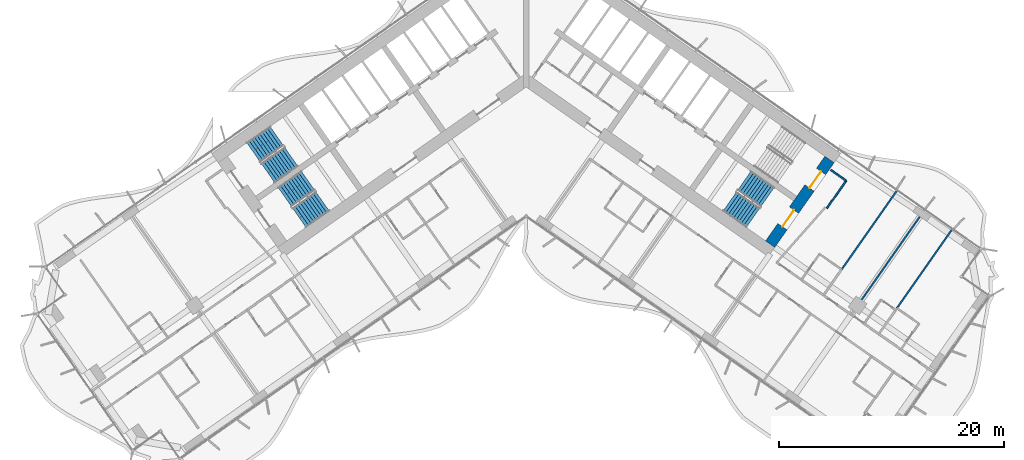
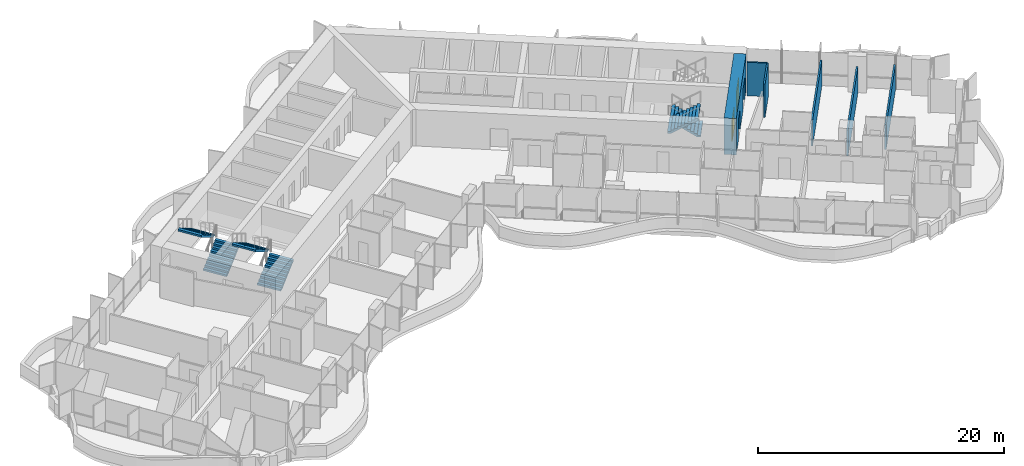
# One storey, part 16 of 23: 6 stair flights, 6 walls, 2 doors, 2 openings, 3 elements without a shape of their own.
"""IFC4 building model written with IfcOpenShell, lengths in metres."""

from ifc_helpers import new_model, si_unit, direction, frame, frame_2d, origin, place, context, subcontext, project, spatial, polyline, rectangle, outline, extrude, material, layer, layer_set, type_object, element, fill, aggregate, save


model = new_model("IFC4")

# Units and contexts
model_context = context("Model", 3, precision=1e-05, world=origin(), true_north=direction((0.0, 1.0)))
body_context = subcontext(model_context, "Body", "Model", "MODEL_VIEW")
ifc_project = project(units=[si_unit("LENGTHUNIT", "METRE"), si_unit("AREAUNIT", "SQUARE_METRE"), si_unit("VOLUMEUNIT", "CUBIC_METRE"), si_unit("PLANEANGLEUNIT", "RADIAN"), si_unit("MASSUNIT", "GRAM", prefix="KILO")], contexts=[model_context])

# Site, building, storey
site_placement = place(None, origin())
site = spatial("IfcSite", under=ifc_project, at=site_placement, CompositionType="ELEMENT")
building_placement = place(site_placement, origin())
building = spatial("IfcBuilding", under=site, at=building_placement, Name="Tel Ilan Convention Tower", CompositionType="ELEMENT")
storey_placement = place(building_placement, frame((0.0, 0.0, 94.10009765625)))
storey = spatial("IfcBuildingStorey", under=building, at=storey_placement, Name="L19", CompositionType="ELEMENT", Elevation=94.10009765625)

# Wall, openings, doors
ifc_material_1 = material(Name="Concrete C60/75", Category="concrete")
ifc_layer_1 = layer(ifc_material_1, 1.0)
ifc_layer_set_1 = layer_set([ifc_layer_1], Name="Core Shear Wall 1000 mm C60/75")
wall_type_1 = type_object("IfcWallType", Name="Core Shear Wall 1000 mm C60/75", PredefinedType="SHEAR", material=ifc_layer_set_1)
wall_1_placement = place(storey_placement, frame((21.70751953125, -15.19970703125, 0.0), z_axis=(0.0, 0.0, 1.0), x_axis=(0.573576324356, 0.819152122709, 0.0)))
wall_1 = element("IfcWall", 1, at=wall_1_placement, inside=storey, type_object=wall_type_1, Name="L19 core wall E-end", PredefinedType="SHEAR", context=body_context, shape_type="SweptSolid", body=[
    extrude(outline(polyline([(9.199951171875, 0.5), (0.0, 0.5), (0.0, -0.5), (9.199951171875, -0.5), (9.199951171875, 0.5)])), origin(), (0.0, 0.0, 1.0), 3.599853515625),
])
opening_1_placement = place(wall_1_placement, frame((6.10009765625, 0.0, 0.0)))
opening_1 = element("IfcOpeningElement", 2, at=opening_1_placement, cuts=wall_1, Name="Opening SD1703", PredefinedType="OPENING", context=body_context, shape_type="SweptSolid", body=[
    extrude(rectangle(XDim=1.800048828125, YDim=2.10009765625, at=frame_2d((0.89990234375, 1.050048828125))), frame((0.0, 0.510009765625, 0.0), z_axis=(0.0, -1.0, 0.0), x_axis=(1.0, 0.0, 0.0)), (0.0, 0.0, 1.0), 1.02001953125),
])
opening_2_placement = place(wall_1_placement, frame((1.89990234375, 0.0, 0.0)))
opening_2 = element("IfcOpeningElement", 3, at=opening_2_placement, cuts=wall_1, Name="Opening SD1704", PredefinedType="OPENING", context=body_context, shape_type="SweptSolid", body=[
    extrude(rectangle(XDim=1.800048828125, YDim=2.10009765625, at=frame_2d((0.89990234375, 1.050048828125))), frame((0.0, 0.510009765625, 0.0), z_axis=(0.0, -1.0, 0.0), x_axis=(1.0, 0.0, 0.0)), (0.0, 0.0, 1.0), 1.02001953125),
])
ifc_material_2 = material(Name="Galvanised Steel Door Leaf", Category="steel")
door_type = type_object("IfcDoorType", Name="Stair Fire Door 1800 x 2100 FD60S", OperationType="NOTDEFINED", PredefinedType="DOOR", material=ifc_material_2)
door_1_placement = place(opening_1_placement, origin())
door_1 = element("IfcDoor", 4, at=door_1_placement, inside=storey, type_object=door_type, Name="Stair S3 door", OperationType="DOUBLE_DOOR_SINGLE_SWING", OverallHeight=2.10009765625, OverallWidth=1.800048828125, PredefinedType="DOOR", context=body_context, shape_type="SweptSolid", body=[
    extrude(rectangle(XDim=1.800048828125, YDim=2.10009765625, at=frame_2d((0.89990234375, 1.050048828125))), frame((0.0, 0.02490234375, 0.0), z_axis=(0.0, -1.0, 0.0), x_axis=(1.0, 0.0, 0.0)), (0.0, 0.0, 1.0), 0.050048828125),
])
fill(opening_1, door_1)
door_2_placement = place(opening_2_placement, origin())
door_2 = element("IfcDoor", 5, at=door_2_placement, inside=storey, type_object=door_type, Name="Stair S4 door", OperationType="DOUBLE_DOOR_SINGLE_SWING", OverallHeight=2.10009765625, OverallWidth=1.800048828125, PredefinedType="DOOR", context=body_context, shape_type="SweptSolid", body=[
    extrude(rectangle(XDim=1.800048828125, YDim=2.10009765625, at=frame_2d((0.89990234375, 1.050048828125))), frame((0.0, 0.02490234375, 0.0), z_axis=(0.0, -1.0, 0.0), x_axis=(1.0, 0.0, 0.0)), (0.0, 0.0, 1.0), 0.050048828125),
])
fill(opening_2, door_2)

# Walls
ifc_material_3 = material(Name="Plasterboard on Steel Studs", Category="steel")
ifc_layer_2 = layer(ifc_material_3, 0.14990234375)
ifc_layer_set_2 = layer_set([ifc_layer_2], Name="Fire-rated Partition 150 EI 60")
wall_type_2 = type_object("IfcWallType", Name="Fire-rated Partition 150 EI 60", PredefinedType="PARTITIONING", material=ifc_layer_set_2)
wall_2_placement = place(storey_placement, frame((32.93994140625, -10.49072265625, 0.0), z_axis=(0.0, 0.0, 1.0), x_axis=(-0.573593433868, -0.819140142237, 0.0)))
element("IfcWall", 6, at=wall_2_placement, inside=storey, type_object=wall_type_2, Name="Partition 036", PredefinedType="PARTITIONING", context=body_context, shape_type="SweptSolid", body=[
    extrude(rectangle(XDim=8.4990234375, YDim=0.14990234375, at=frame_2d((4.24951171875, 0.0))), origin(), (0.0, 0.0, 1.0), 2.599853515625),
])
wall_3_placement = place(storey_placement, frame((26.74609375, -12.013671875, 0.0), z_axis=(0.0, 0.0, 1.0), x_axis=(0.573560650686, 0.819163097304, 0.0)))
element("IfcWall", 7, at=wall_3_placement, inside=storey, type_object=wall_type_2, Name="Partition 038", PredefinedType="PARTITIONING", context=body_context, shape_type="SweptSolid", body=[
    extrude(rectangle(XDim=3.0, YDim=0.14990234375, at=frame_2d((1.5, 0.0))), origin(), (0.0, 0.0, 1.0), 3.31982421875),
])
wall_4_placement = place(storey_placement, frame((28.466796875, -9.55615234375, 0.0), z_axis=(0.0, 0.0, 1.0), x_axis=(-0.819109000826, 0.573637903879, 0.0)))
element("IfcWall", 8, at=wall_4_placement, inside=storey, type_object=wall_type_2, Name="Partition 039", PredefinedType="PARTITIONING", context=body_context, shape_type="SweptSolid", body=[
    extrude(rectangle(XDim=1.679931640625, YDim=0.14990234375, at=frame_2d((0.83984375, 0.0))), origin(), (0.0, 0.0, 1.0), 3.31982421875),
])
wall_5_placement = place(storey_placement, frame((35.012939453125, -12.76025390625, 0.0), z_axis=(0.0, 0.0, 1.0), x_axis=(-0.573558725113, -0.819164445546, 0.0)))
element("IfcWall", 9, at=wall_5_placement, inside=storey, type_object=wall_type_2, Name="Partition 041", PredefinedType="PARTITIONING", context=body_context, shape_type="SweptSolid", body=[
    extrude(rectangle(XDim=9.010009765625, YDim=0.14990234375, at=frame_2d((4.5048828125, 0.0))), origin(), (0.0, 0.0, 1.0), 2.599853515625),
])
wall_6_placement = place(storey_placement, frame((37.854736328125, -13.93212890625, 0.0), z_axis=(0.0, 0.0, 1.0), x_axis=(-0.573576058406, -0.819152308929, 0.0)))
element("IfcWall", 10, at=wall_6_placement, inside=storey, type_object=wall_type_2, Name="Partition 045", PredefinedType="PARTITIONING", context=body_context, shape_type="SweptSolid", body=[
    extrude(rectangle(XDim=8.5009765625, YDim=0.14990234375, at=frame_2d((4.25048828125, 0.0))), origin(), (0.0, 0.0, 1.0), 2.5),
])

# Stair, stair flights
ifc_material_4 = material(Name="Concrete C40/50", Category="concrete")
stair_type = type_object("IfcStairType", Name="Pressurised Exit Stair 20 risers 180 mm", PredefinedType="HALF_TURN_STAIR", material=ifc_material_4)
stair_1_placement = place(storey_placement, origin())
stair_1 = element("IfcStair", 11, at=stair_1_placement, inside=storey, type_object=stair_type, Name="L19 Pressurised Stair S1", PredefinedType="HALF_TURN_STAIR")
ifc_material_5 = material(Name="Precast Concrete C40/50", Category="concrete")
stair_flight_type = type_object("IfcStairFlightType", Name="Concrete Stair Flight 2100 mm 20 risers 180 mm", PredefinedType="STRAIGHT", material=ifc_material_5)
stair_flight_1_placement = place(storey_placement, frame((-22.9619140625, -8.87548828125, 0.0), z_axis=(0.0, 0.0, 1.0), x_axis=(0.819152044289, 0.573576436351, 0.0)))
stair_flight_1 = element("IfcStairFlight", 12, at=stair_flight_1_placement, type_object=stair_flight_type, Name="S1 flight 1", NumberOfRisers=10, NumberOfTreads=9, PredefinedType="STRAIGHT", RiserHeight=0.18, TreadLength=0.28, context=body_context, shape_type="SweptSolid", body=[
    extrude(outline(polyline([(0.0, 0.0), (0.0, 0.179931640625), (0.280029296875, 0.179931640625), (0.280029296875, 0.360107421875), (0.56005859375, 0.360107421875), (0.56005859375, 0.5400390625), (0.840087890625, 0.5400390625), (0.840087890625, 0.719970703125), (1.1201171875, 0.719970703125), (1.1201171875, 0.89990234375), (1.39990234375, 0.89990234375), (1.39990234375, 1.080078125), (1.679931640625, 1.080078125), (1.679931640625, 1.260009765625), (1.9599609375, 1.260009765625), (1.9599609375, 1.43994140625), (2.239990234375, 1.43994140625), (2.239990234375, 1.6201171875), (2.52001953125, 1.6201171875), (2.52001953125, 1.800048828125), (2.52001953125, 1.44189453125), (0.277099609375, 0.0), (0.0, 0.0)])), frame((0.0, -0.100341796875, 0.0), z_axis=(0.0, -1.0, 0.0), x_axis=(1.0, 0.0, 0.0)), (0.0, 0.0, 1.0), 0.94970703125),
    extrude(outline(polyline([(0.0, 0.0), (0.0, 0.179931640625), (0.280029296875, 0.179931640625), (0.280029296875, 0.360107421875), (0.56005859375, 0.360107421875), (0.56005859375, 0.5400390625), (0.840087890625, 0.5400390625), (0.840087890625, 0.719970703125), (1.1201171875, 0.719970703125), (1.1201171875, 0.89990234375), (1.39990234375, 0.89990234375), (1.39990234375, 1.080078125), (1.679931640625, 1.080078125), (1.679931640625, 1.260009765625), (1.9599609375, 1.260009765625), (1.9599609375, 1.43994140625), (2.239990234375, 1.43994140625), (2.239990234375, 1.6201171875), (2.52001953125, 1.6201171875), (2.52001953125, 1.800048828125), (2.52001953125, 1.44189453125), (0.277099609375, 0.0), (0.0, 0.0)])), frame((0.0, -0.000244140625, 0.0), z_axis=(0.0, -1.0, 0.0), x_axis=(1.0, 0.0, 0.0)), (0.0, 0.0, 1.0), 0.099609375),
    extrude(outline(polyline([(0.0, 0.0), (0.0, 0.179931640625), (0.280029296875, 0.179931640625), (0.280029296875, 0.360107421875), (0.56005859375, 0.360107421875), (0.56005859375, 0.5400390625), (0.840087890625, 0.5400390625), (0.840087890625, 0.719970703125), (1.1201171875, 0.719970703125), (1.1201171875, 0.89990234375), (1.39990234375, 0.89990234375), (1.39990234375, 1.080078125), (1.679931640625, 1.080078125), (1.679931640625, 1.260009765625), (1.9599609375, 1.260009765625), (1.9599609375, 1.43994140625), (2.239990234375, 1.43994140625), (2.239990234375, 1.6201171875), (2.52001953125, 1.6201171875), (2.52001953125, 1.800048828125), (2.52001953125, 1.44189453125), (0.277099609375, 0.0), (0.0, 0.0)])), frame((0.0, 0.099853515625, 0.0), z_axis=(0.0, -1.0, 0.0), x_axis=(1.0, 0.0, 0.0)), (0.0, 0.0, 1.0), 0.099609375),
    extrude(outline(polyline([(0.0, 0.0), (0.0, 0.179931640625), (0.280029296875, 0.179931640625), (0.280029296875, 0.360107421875), (0.56005859375, 0.360107421875), (0.56005859375, 0.5400390625), (0.840087890625, 0.5400390625), (0.840087890625, 0.719970703125), (1.1201171875, 0.719970703125), (1.1201171875, 0.89990234375), (1.39990234375, 0.89990234375), (1.39990234375, 1.080078125), (1.679931640625, 1.080078125), (1.679931640625, 1.260009765625), (1.9599609375, 1.260009765625), (1.9599609375, 1.43994140625), (2.239990234375, 1.43994140625), (2.239990234375, 1.6201171875), (2.52001953125, 1.6201171875), (2.52001953125, 1.800048828125), (2.52001953125, 1.44189453125), (0.277099609375, 0.0), (0.0, 0.0)])), frame((0.0, 1.050048828125, 0.0), z_axis=(0.0, -1.0, 0.0), x_axis=(1.0, 0.0, 0.0)), (0.0, 0.0, 1.0), 0.94970703125),
])
stair_flight_2_placement = place(storey_placement, frame((-22.188232421875, -5.5869140625, 1.7998046875), z_axis=(0.0, 0.0, 1.0), x_axis=(-0.819152044289, -0.573576436351, 0.0)))
stair_flight_2 = element("IfcStairFlight", 13, at=stair_flight_2_placement, type_object=stair_flight_type, Name="S1 flight 2", NumberOfRisers=10, NumberOfTreads=9, PredefinedType="STRAIGHT", RiserHeight=0.18, TreadLength=0.28, context=body_context, shape_type="SweptSolid", body=[
    extrude(outline(polyline([(0.0, 0.0), (0.0, 0.179931640625), (0.280029296875, 0.179931640625), (0.280029296875, 0.360107421875), (0.56005859375, 0.360107421875), (0.56005859375, 0.5400390625), (0.840087890625, 0.5400390625), (0.840087890625, 0.719970703125), (1.1201171875, 0.719970703125), (1.1201171875, 0.89990234375), (1.39990234375, 0.89990234375), (1.39990234375, 1.080078125), (1.679931640625, 1.080078125), (1.679931640625, 1.260009765625), (1.9599609375, 1.260009765625), (1.9599609375, 1.43994140625), (2.239990234375, 1.43994140625), (2.239990234375, 1.6201171875), (2.52001953125, 1.6201171875), (2.52001953125, 1.800048828125), (2.52001953125, 1.44189453125), (0.277099609375, 0.0), (0.0, 0.0)])), frame((0.0, -0.100341796875, 0.0), z_axis=(0.0, -1.0, 0.0), x_axis=(1.0, 0.0, 0.0)), (0.0, 0.0, 1.0), 0.94970703125),
    extrude(outline(polyline([(0.0, 0.0), (0.0, 0.179931640625), (0.280029296875, 0.179931640625), (0.280029296875, 0.360107421875), (0.56005859375, 0.360107421875), (0.56005859375, 0.5400390625), (0.840087890625, 0.5400390625), (0.840087890625, 0.719970703125), (1.1201171875, 0.719970703125), (1.1201171875, 0.89990234375), (1.39990234375, 0.89990234375), (1.39990234375, 1.080078125), (1.679931640625, 1.080078125), (1.679931640625, 1.260009765625), (1.9599609375, 1.260009765625), (1.9599609375, 1.43994140625), (2.239990234375, 1.43994140625), (2.239990234375, 1.6201171875), (2.52001953125, 1.6201171875), (2.52001953125, 1.800048828125), (2.52001953125, 1.44189453125), (0.277099609375, 0.0), (0.0, 0.0)])), frame((0.0, -0.000244140625, 0.0), z_axis=(0.0, -1.0, 0.0), x_axis=(1.0, 0.0, 0.0)), (0.0, 0.0, 1.0), 0.099609375),
    extrude(outline(polyline([(0.0, 0.0), (0.0, 0.179931640625), (0.280029296875, 0.179931640625), (0.280029296875, 0.360107421875), (0.56005859375, 0.360107421875), (0.56005859375, 0.5400390625), (0.840087890625, 0.5400390625), (0.840087890625, 0.719970703125), (1.1201171875, 0.719970703125), (1.1201171875, 0.89990234375), (1.39990234375, 0.89990234375), (1.39990234375, 1.080078125), (1.679931640625, 1.080078125), (1.679931640625, 1.260009765625), (1.9599609375, 1.260009765625), (1.9599609375, 1.43994140625), (2.239990234375, 1.43994140625), (2.239990234375, 1.6201171875), (2.52001953125, 1.6201171875), (2.52001953125, 1.800048828125), (2.52001953125, 1.44189453125), (0.277099609375, 0.0), (0.0, 0.0)])), frame((0.0, 0.099853515625, 0.0), z_axis=(0.0, -1.0, 0.0), x_axis=(1.0, 0.0, 0.0)), (0.0, 0.0, 1.0), 0.099609375),
    extrude(outline(polyline([(0.0, 0.0), (0.0, 0.179931640625), (0.280029296875, 0.179931640625), (0.280029296875, 0.360107421875), (0.56005859375, 0.360107421875), (0.56005859375, 0.5400390625), (0.840087890625, 0.5400390625), (0.840087890625, 0.719970703125), (1.1201171875, 0.719970703125), (1.1201171875, 0.89990234375), (1.39990234375, 0.89990234375), (1.39990234375, 1.080078125), (1.679931640625, 1.080078125), (1.679931640625, 1.260009765625), (1.9599609375, 1.260009765625), (1.9599609375, 1.43994140625), (2.239990234375, 1.43994140625), (2.239990234375, 1.6201171875), (2.52001953125, 1.6201171875), (2.52001953125, 1.800048828125), (2.52001953125, 1.44189453125), (0.277099609375, 0.0), (0.0, 0.0)])), frame((0.0, 1.050048828125, 0.0), z_axis=(0.0, -1.0, 0.0), x_axis=(1.0, 0.0, 0.0)), (0.0, 0.0, 1.0), 0.94970703125),
])
aggregate(stair_1, [stair_flight_1, stair_flight_2])

stair_2_placement = place(storey_placement, origin())
stair_2 = element("IfcStair", 14, at=stair_2_placement, inside=storey, type_object=stair_type, Name="L19 Pressurised Stair S2", PredefinedType="HALF_TURN_STAIR")
stair_flight_3_placement = place(storey_placement, frame((-20.179931640625, -12.848388671875, 0.0), z_axis=(0.0, 0.0, 1.0), x_axis=(0.819152044289, 0.573576436351, 0.0)))
stair_flight_3 = element("IfcStairFlight", 15, at=stair_flight_3_placement, type_object=stair_flight_type, Name="S2 flight 1", NumberOfRisers=10, NumberOfTreads=9, PredefinedType="STRAIGHT", RiserHeight=0.18, TreadLength=0.28, context=body_context, shape_type="SweptSolid", body=[
    extrude(outline(polyline([(0.0, 0.0), (0.0, 0.179931640625), (0.280029296875, 0.179931640625), (0.280029296875, 0.360107421875), (0.56005859375, 0.360107421875), (0.56005859375, 0.5400390625), (0.840087890625, 0.5400390625), (0.840087890625, 0.719970703125), (1.1201171875, 0.719970703125), (1.1201171875, 0.89990234375), (1.39990234375, 0.89990234375), (1.39990234375, 1.080078125), (1.679931640625, 1.080078125), (1.679931640625, 1.260009765625), (1.9599609375, 1.260009765625), (1.9599609375, 1.43994140625), (2.239990234375, 1.43994140625), (2.239990234375, 1.6201171875), (2.52001953125, 1.6201171875), (2.52001953125, 1.800048828125), (2.52001953125, 1.44189453125), (0.277099609375, 0.0), (0.0, 0.0)])), frame((0.0, -0.100341796875, 0.0), z_axis=(0.0, -1.0, 0.0), x_axis=(1.0, 0.0, 0.0)), (0.0, 0.0, 1.0), 0.94970703125),
    extrude(outline(polyline([(0.0, 0.0), (0.0, 0.179931640625), (0.280029296875, 0.179931640625), (0.280029296875, 0.360107421875), (0.56005859375, 0.360107421875), (0.56005859375, 0.5400390625), (0.840087890625, 0.5400390625), (0.840087890625, 0.719970703125), (1.1201171875, 0.719970703125), (1.1201171875, 0.89990234375), (1.39990234375, 0.89990234375), (1.39990234375, 1.080078125), (1.679931640625, 1.080078125), (1.679931640625, 1.260009765625), (1.9599609375, 1.260009765625), (1.9599609375, 1.43994140625), (2.239990234375, 1.43994140625), (2.239990234375, 1.6201171875), (2.52001953125, 1.6201171875), (2.52001953125, 1.800048828125), (2.52001953125, 1.44189453125), (0.277099609375, 0.0), (0.0, 0.0)])), frame((0.0, -0.000244140625, 0.0), z_axis=(0.0, -1.0, 0.0), x_axis=(1.0, 0.0, 0.0)), (0.0, 0.0, 1.0), 0.099609375),
    extrude(outline(polyline([(0.0, 0.0), (0.0, 0.179931640625), (0.280029296875, 0.179931640625), (0.280029296875, 0.360107421875), (0.56005859375, 0.360107421875), (0.56005859375, 0.5400390625), (0.840087890625, 0.5400390625), (0.840087890625, 0.719970703125), (1.1201171875, 0.719970703125), (1.1201171875, 0.89990234375), (1.39990234375, 0.89990234375), (1.39990234375, 1.080078125), (1.679931640625, 1.080078125), (1.679931640625, 1.260009765625), (1.9599609375, 1.260009765625), (1.9599609375, 1.43994140625), (2.239990234375, 1.43994140625), (2.239990234375, 1.6201171875), (2.52001953125, 1.6201171875), (2.52001953125, 1.800048828125), (2.52001953125, 1.44189453125), (0.277099609375, 0.0), (0.0, 0.0)])), frame((0.0, 0.099853515625, 0.0), z_axis=(0.0, -1.0, 0.0), x_axis=(1.0, 0.0, 0.0)), (0.0, 0.0, 1.0), 0.099609375),
    extrude(outline(polyline([(0.0, 0.0), (0.0, 0.179931640625), (0.280029296875, 0.179931640625), (0.280029296875, 0.360107421875), (0.56005859375, 0.360107421875), (0.56005859375, 0.5400390625), (0.840087890625, 0.5400390625), (0.840087890625, 0.719970703125), (1.1201171875, 0.719970703125), (1.1201171875, 0.89990234375), (1.39990234375, 0.89990234375), (1.39990234375, 1.080078125), (1.679931640625, 1.080078125), (1.679931640625, 1.260009765625), (1.9599609375, 1.260009765625), (1.9599609375, 1.43994140625), (2.239990234375, 1.43994140625), (2.239990234375, 1.6201171875), (2.52001953125, 1.6201171875), (2.52001953125, 1.800048828125), (2.52001953125, 1.44189453125), (0.277099609375, 0.0), (0.0, 0.0)])), frame((0.0, 1.050048828125, 0.0), z_axis=(0.0, -1.0, 0.0), x_axis=(1.0, 0.0, 0.0)), (0.0, 0.0, 1.0), 0.94970703125),
])
stair_flight_4_placement = place(storey_placement, frame((-19.40625, -9.559814453125, 1.7998046875), z_axis=(0.0, 0.0, 1.0), x_axis=(-0.819152044289, -0.573576436351, 0.0)))
stair_flight_4 = element("IfcStairFlight", 16, at=stair_flight_4_placement, type_object=stair_flight_type, Name="S2 flight 2", NumberOfRisers=10, NumberOfTreads=9, PredefinedType="STRAIGHT", RiserHeight=0.18, TreadLength=0.28, context=body_context, shape_type="SweptSolid", body=[
    extrude(outline(polyline([(0.0, 0.0), (0.0, 0.179931640625), (0.280029296875, 0.179931640625), (0.280029296875, 0.360107421875), (0.56005859375, 0.360107421875), (0.56005859375, 0.5400390625), (0.840087890625, 0.5400390625), (0.840087890625, 0.719970703125), (1.1201171875, 0.719970703125), (1.1201171875, 0.89990234375), (1.39990234375, 0.89990234375), (1.39990234375, 1.080078125), (1.679931640625, 1.080078125), (1.679931640625, 1.260009765625), (1.9599609375, 1.260009765625), (1.9599609375, 1.43994140625), (2.239990234375, 1.43994140625), (2.239990234375, 1.6201171875), (2.52001953125, 1.6201171875), (2.52001953125, 1.800048828125), (2.52001953125, 1.44189453125), (0.277099609375, 0.0), (0.0, 0.0)])), frame((0.0, -0.100341796875, 0.0), z_axis=(0.0, -1.0, 0.0), x_axis=(1.0, 0.0, 0.0)), (0.0, 0.0, 1.0), 0.94970703125),
    extrude(outline(polyline([(0.0, 0.0), (0.0, 0.179931640625), (0.280029296875, 0.179931640625), (0.280029296875, 0.360107421875), (0.56005859375, 0.360107421875), (0.56005859375, 0.5400390625), (0.840087890625, 0.5400390625), (0.840087890625, 0.719970703125), (1.1201171875, 0.719970703125), (1.1201171875, 0.89990234375), (1.39990234375, 0.89990234375), (1.39990234375, 1.080078125), (1.679931640625, 1.080078125), (1.679931640625, 1.260009765625), (1.9599609375, 1.260009765625), (1.9599609375, 1.43994140625), (2.239990234375, 1.43994140625), (2.239990234375, 1.6201171875), (2.52001953125, 1.6201171875), (2.52001953125, 1.800048828125), (2.52001953125, 1.44189453125), (0.277099609375, 0.0), (0.0, 0.0)])), frame((0.0, -0.000244140625, 0.0), z_axis=(0.0, -1.0, 0.0), x_axis=(1.0, 0.0, 0.0)), (0.0, 0.0, 1.0), 0.099609375),
    extrude(outline(polyline([(0.0, 0.0), (0.0, 0.179931640625), (0.280029296875, 0.179931640625), (0.280029296875, 0.360107421875), (0.56005859375, 0.360107421875), (0.56005859375, 0.5400390625), (0.840087890625, 0.5400390625), (0.840087890625, 0.719970703125), (1.1201171875, 0.719970703125), (1.1201171875, 0.89990234375), (1.39990234375, 0.89990234375), (1.39990234375, 1.080078125), (1.679931640625, 1.080078125), (1.679931640625, 1.260009765625), (1.9599609375, 1.260009765625), (1.9599609375, 1.43994140625), (2.239990234375, 1.43994140625), (2.239990234375, 1.6201171875), (2.52001953125, 1.6201171875), (2.52001953125, 1.800048828125), (2.52001953125, 1.44189453125), (0.277099609375, 0.0), (0.0, 0.0)])), frame((0.0, 0.099853515625, 0.0), z_axis=(0.0, -1.0, 0.0), x_axis=(1.0, 0.0, 0.0)), (0.0, 0.0, 1.0), 0.099609375),
    extrude(outline(polyline([(0.0, 0.0), (0.0, 0.179931640625), (0.280029296875, 0.179931640625), (0.280029296875, 0.360107421875), (0.56005859375, 0.360107421875), (0.56005859375, 0.5400390625), (0.840087890625, 0.5400390625), (0.840087890625, 0.719970703125), (1.1201171875, 0.719970703125), (1.1201171875, 0.89990234375), (1.39990234375, 0.89990234375), (1.39990234375, 1.080078125), (1.679931640625, 1.080078125), (1.679931640625, 1.260009765625), (1.9599609375, 1.260009765625), (1.9599609375, 1.43994140625), (2.239990234375, 1.43994140625), (2.239990234375, 1.6201171875), (2.52001953125, 1.6201171875), (2.52001953125, 1.800048828125), (2.52001953125, 1.44189453125), (0.277099609375, 0.0), (0.0, 0.0)])), frame((0.0, 1.050048828125, 0.0), z_axis=(0.0, -1.0, 0.0), x_axis=(1.0, 0.0, 0.0)), (0.0, 0.0, 1.0), 0.94970703125),
])
aggregate(stair_2, [stair_flight_3, stair_flight_4])

stair_3_placement = place(storey_placement, origin())
stair_3 = element("IfcStair", 17, at=stair_3_placement, inside=storey, type_object=stair_type, Name="L19 Pressurised Stair S4", PredefinedType="HALF_TURN_STAIR")
stair_flight_5_placement = place(storey_placement, frame((21.470458984375, -11.00537109375, 0.0), z_axis=(0.0, 0.0, 1.0), x_axis=(-0.819152044289, 0.573576436351, 0.0)))
stair_flight_5 = element("IfcStairFlight", 18, at=stair_flight_5_placement, type_object=stair_flight_type, Name="S4 flight 1", NumberOfRisers=10, NumberOfTreads=9, PredefinedType="STRAIGHT", RiserHeight=0.18, TreadLength=0.28, context=body_context, shape_type="SweptSolid", body=[
    extrude(outline(polyline([(0.0, 0.0), (0.0, 0.179931640625), (0.280029296875, 0.179931640625), (0.280029296875, 0.360107421875), (0.56005859375, 0.360107421875), (0.56005859375, 0.5400390625), (0.840087890625, 0.5400390625), (0.840087890625, 0.719970703125), (1.1201171875, 0.719970703125), (1.1201171875, 0.89990234375), (1.39990234375, 0.89990234375), (1.39990234375, 1.080078125), (1.679931640625, 1.080078125), (1.679931640625, 1.260009765625), (1.9599609375, 1.260009765625), (1.9599609375, 1.43994140625), (2.239990234375, 1.43994140625), (2.239990234375, 1.6201171875), (2.52001953125, 1.6201171875), (2.52001953125, 1.800048828125), (2.52001953125, 1.44189453125), (0.277099609375, 0.0), (0.0, 0.0)])), frame((0.0, -0.100341796875, 0.0), z_axis=(0.0, -1.0, 0.0), x_axis=(1.0, 0.0, 0.0)), (0.0, 0.0, 1.0), 0.94970703125),
    extrude(outline(polyline([(0.0, 0.0), (0.0, 0.179931640625), (0.280029296875, 0.179931640625), (0.280029296875, 0.360107421875), (0.56005859375, 0.360107421875), (0.56005859375, 0.5400390625), (0.840087890625, 0.5400390625), (0.840087890625, 0.719970703125), (1.1201171875, 0.719970703125), (1.1201171875, 0.89990234375), (1.39990234375, 0.89990234375), (1.39990234375, 1.080078125), (1.679931640625, 1.080078125), (1.679931640625, 1.260009765625), (1.9599609375, 1.260009765625), (1.9599609375, 1.43994140625), (2.239990234375, 1.43994140625), (2.239990234375, 1.6201171875), (2.52001953125, 1.6201171875), (2.52001953125, 1.800048828125), (2.52001953125, 1.44189453125), (0.277099609375, 0.0), (0.0, 0.0)])), frame((0.0, -0.000244140625, 0.0), z_axis=(0.0, -1.0, 0.0), x_axis=(1.0, 0.0, 0.0)), (0.0, 0.0, 1.0), 0.099609375),
    extrude(outline(polyline([(0.0, 0.0), (0.0, 0.179931640625), (0.280029296875, 0.179931640625), (0.280029296875, 0.360107421875), (0.56005859375, 0.360107421875), (0.56005859375, 0.5400390625), (0.840087890625, 0.5400390625), (0.840087890625, 0.719970703125), (1.1201171875, 0.719970703125), (1.1201171875, 0.89990234375), (1.39990234375, 0.89990234375), (1.39990234375, 1.080078125), (1.679931640625, 1.080078125), (1.679931640625, 1.260009765625), (1.9599609375, 1.260009765625), (1.9599609375, 1.43994140625), (2.239990234375, 1.43994140625), (2.239990234375, 1.6201171875), (2.52001953125, 1.6201171875), (2.52001953125, 1.800048828125), (2.52001953125, 1.44189453125), (0.277099609375, 0.0), (0.0, 0.0)])), frame((0.0, 0.099853515625, 0.0), z_axis=(0.0, -1.0, 0.0), x_axis=(1.0, 0.0, 0.0)), (0.0, 0.0, 1.0), 0.099609375),
    extrude(outline(polyline([(0.0, 0.0), (0.0, 0.179931640625), (0.280029296875, 0.179931640625), (0.280029296875, 0.360107421875), (0.56005859375, 0.360107421875), (0.56005859375, 0.5400390625), (0.840087890625, 0.5400390625), (0.840087890625, 0.719970703125), (1.1201171875, 0.719970703125), (1.1201171875, 0.89990234375), (1.39990234375, 0.89990234375), (1.39990234375, 1.080078125), (1.679931640625, 1.080078125), (1.679931640625, 1.260009765625), (1.9599609375, 1.260009765625), (1.9599609375, 1.43994140625), (2.239990234375, 1.43994140625), (2.239990234375, 1.6201171875), (2.52001953125, 1.6201171875), (2.52001953125, 1.800048828125), (2.52001953125, 1.44189453125), (0.277099609375, 0.0), (0.0, 0.0)])), frame((0.0, 1.050048828125, 0.0), z_axis=(0.0, -1.0, 0.0), x_axis=(1.0, 0.0, 0.0)), (0.0, 0.0, 1.0), 0.94970703125),
])
stair_flight_6_placement = place(storey_placement, frame((18.11572265625, -11.403076171875, 1.7998046875), z_axis=(0.0, 0.0, 1.0), x_axis=(0.819152044289, -0.573576436351, 0.0)))
stair_flight_6 = element("IfcStairFlight", 19, at=stair_flight_6_placement, type_object=stair_flight_type, Name="S4 flight 2", NumberOfRisers=10, NumberOfTreads=9, PredefinedType="STRAIGHT", RiserHeight=0.18, TreadLength=0.28, context=body_context, shape_type="SweptSolid", body=[
    extrude(outline(polyline([(0.0, 0.0), (0.0, 0.179931640625), (0.280029296875, 0.179931640625), (0.280029296875, 0.360107421875), (0.56005859375, 0.360107421875), (0.56005859375, 0.5400390625), (0.840087890625, 0.5400390625), (0.840087890625, 0.719970703125), (1.1201171875, 0.719970703125), (1.1201171875, 0.89990234375), (1.39990234375, 0.89990234375), (1.39990234375, 1.080078125), (1.679931640625, 1.080078125), (1.679931640625, 1.260009765625), (1.9599609375, 1.260009765625), (1.9599609375, 1.43994140625), (2.239990234375, 1.43994140625), (2.239990234375, 1.6201171875), (2.52001953125, 1.6201171875), (2.52001953125, 1.800048828125), (2.52001953125, 1.44189453125), (0.277099609375, 0.0), (0.0, 0.0)])), frame((0.0, -0.100341796875, 0.0), z_axis=(0.0, -1.0, 0.0), x_axis=(1.0, 0.0, 0.0)), (0.0, 0.0, 1.0), 0.94970703125),
    extrude(outline(polyline([(0.0, 0.0), (0.0, 0.179931640625), (0.280029296875, 0.179931640625), (0.280029296875, 0.360107421875), (0.56005859375, 0.360107421875), (0.56005859375, 0.5400390625), (0.840087890625, 0.5400390625), (0.840087890625, 0.719970703125), (1.1201171875, 0.719970703125), (1.1201171875, 0.89990234375), (1.39990234375, 0.89990234375), (1.39990234375, 1.080078125), (1.679931640625, 1.080078125), (1.679931640625, 1.260009765625), (1.9599609375, 1.260009765625), (1.9599609375, 1.43994140625), (2.239990234375, 1.43994140625), (2.239990234375, 1.6201171875), (2.52001953125, 1.6201171875), (2.52001953125, 1.800048828125), (2.52001953125, 1.44189453125), (0.277099609375, 0.0), (0.0, 0.0)])), frame((0.0, -0.000244140625, 0.0), z_axis=(0.0, -1.0, 0.0), x_axis=(1.0, 0.0, 0.0)), (0.0, 0.0, 1.0), 0.099609375),
    extrude(outline(polyline([(0.0, 0.0), (0.0, 0.179931640625), (0.280029296875, 0.179931640625), (0.280029296875, 0.360107421875), (0.56005859375, 0.360107421875), (0.56005859375, 0.5400390625), (0.840087890625, 0.5400390625), (0.840087890625, 0.719970703125), (1.1201171875, 0.719970703125), (1.1201171875, 0.89990234375), (1.39990234375, 0.89990234375), (1.39990234375, 1.080078125), (1.679931640625, 1.080078125), (1.679931640625, 1.260009765625), (1.9599609375, 1.260009765625), (1.9599609375, 1.43994140625), (2.239990234375, 1.43994140625), (2.239990234375, 1.6201171875), (2.52001953125, 1.6201171875), (2.52001953125, 1.800048828125), (2.52001953125, 1.44189453125), (0.277099609375, 0.0), (0.0, 0.0)])), frame((0.0, 0.099853515625, 0.0), z_axis=(0.0, -1.0, 0.0), x_axis=(1.0, 0.0, 0.0)), (0.0, 0.0, 1.0), 0.099609375),
    extrude(outline(polyline([(0.0, 0.0), (0.0, 0.179931640625), (0.280029296875, 0.179931640625), (0.280029296875, 0.360107421875), (0.56005859375, 0.360107421875), (0.56005859375, 0.5400390625), (0.840087890625, 0.5400390625), (0.840087890625, 0.719970703125), (1.1201171875, 0.719970703125), (1.1201171875, 0.89990234375), (1.39990234375, 0.89990234375), (1.39990234375, 1.080078125), (1.679931640625, 1.080078125), (1.679931640625, 1.260009765625), (1.9599609375, 1.260009765625), (1.9599609375, 1.43994140625), (2.239990234375, 1.43994140625), (2.239990234375, 1.6201171875), (2.52001953125, 1.6201171875), (2.52001953125, 1.800048828125), (2.52001953125, 1.44189453125), (0.277099609375, 0.0), (0.0, 0.0)])), frame((0.0, 1.050048828125, 0.0), z_axis=(0.0, -1.0, 0.0), x_axis=(1.0, 0.0, 0.0)), (0.0, 0.0, 1.0), 0.94970703125),
])
aggregate(stair_3, [stair_flight_5, stair_flight_6])

save(model, "model.ifc")
